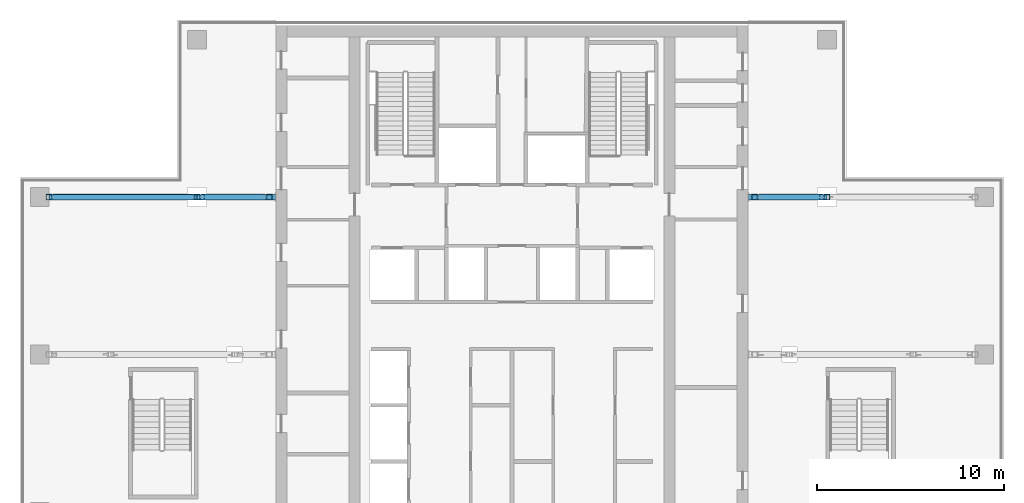
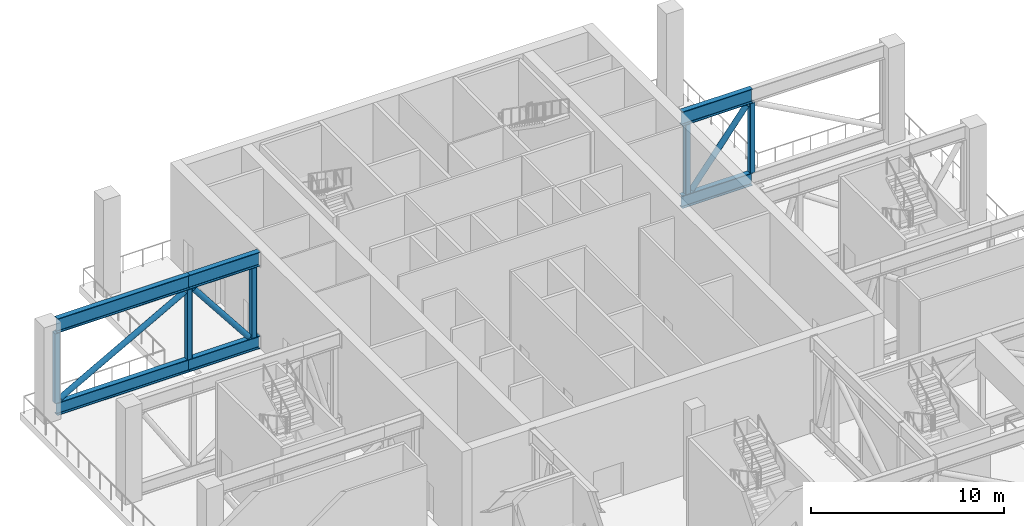
# One storey, part 4 of 24: 14 members.
"""IFC4 building model written with IfcOpenShell, lengths in metres."""

from ifc_helpers import new_model, si_unit, direction, frame, origin, origin_2d, place, context, subcontext, project, spatial, hollow_rectangle, hollow_circle, i_section, extrude, material, material_profile, profile_set, type_object, element, save


model = new_model("IFC4")

# Units and contexts
model_context = context("Model", 3, precision=1e-05, world=origin(), true_north=direction((0.0, 1.0)))
body_context = subcontext(model_context, "Body", "Model", "MODEL_VIEW")
ifc_project = project(units=[si_unit("LENGTHUNIT", "METRE"), si_unit("AREAUNIT", "SQUARE_METRE"), si_unit("VOLUMEUNIT", "CUBIC_METRE"), si_unit("PLANEANGLEUNIT", "RADIAN"), si_unit("MASSUNIT", "GRAM", prefix="KILO")], contexts=[model_context])

# Site, building, storey
site_placement = place(None, origin())
site = spatial("IfcSite", under=ifc_project, at=site_placement, CompositionType="ELEMENT")
building_placement = place(site_placement, origin())
building = spatial("IfcBuilding", under=site, at=building_placement, Name="Vermilion Ogive Tower", CompositionType="ELEMENT")
storey_placement = place(building_placement, frame((0.0, 0.0, 216.949951171875)))
storey = spatial("IfcBuildingStorey", under=building, at=storey_placement, Name="L57", CompositionType="ELEMENT", Elevation=216.949951171875)

# Members
ifc_material_1 = material(Name="Steel S355", Category="steel")
ifc_material_profile_1 = material_profile(ifc_material_1, i_section(OverallWidth=0.300048828125, OverallDepth=0.800048828125, WebThickness=0.017578125, FlangeThickness=0.032958984375, FilletRadius=0.030029296875, at=origin_2d()), Name="HEB 800")
ifc_profile_set_1 = profile_set([ifc_material_profile_1], Name="Steel S355")
member_type_1 = type_object("IfcMemberType", Name="Outrigger truss bottom chord HEB 800", PredefinedType="CHORD", material=ifc_profile_set_1)
for number, where, z_axis, x_axis, name in (
    (1, (12.60009765625, 12.60009765625, 0.400146484375), (1.0, 0.0, 0.0), (0.0, 1.0, 0.0), "L57-TR-EWE+12.6-B1"),
    (2, (-12.60009765625, 12.60009765625, 0.400146484375), (-1.0, 0.0, 0.0), (0.0, -1.0, 0.0), "L57-TR-EWW+12.6-B1"),
):
    element("IfcMember", number, at=place(storey_placement, frame(where, z_axis=z_axis, x_axis=x_axis)), inside=storey, type_object=member_type_1, Name=name, PredefinedType="CHORD", context=body_context, shape_type="SweptSolid", body=[
        extrude(i_section(OverallWidth=0.300048828125, OverallDepth=0.800048828125, WebThickness=0.017578125, FlangeThickness=0.032958984375, FilletRadius=0.030029296875, at=origin_2d()), origin(), (0.0, 0.0, 1.0), 4.199951171875),
    ])
member_1_placement = place(storey_placement, frame((-16.800048828125, 12.60009765625, 0.400146484375), z_axis=(-1.0, 0.0, 0.0), x_axis=(0.0, -1.0, 0.0)))
element("IfcMember", 3, at=member_1_placement, inside=storey, type_object=member_type_1, Name="L57-TR-EWW+12.6-B2", PredefinedType="CHORD", context=body_context, shape_type="SweptSolid", body=[
    extrude(i_section(OverallWidth=0.300048828125, OverallDepth=0.800048828125, WebThickness=0.017578125, FlangeThickness=0.032958984375, FilletRadius=0.030029296875, at=origin_2d()), origin(), (0.0, 0.0, 1.0), 7.89990234375),
])
ifc_material_2 = material(Name="Steel S355", Category="steel")
ifc_material_profile_2 = material_profile(ifc_material_2, hollow_circle(Radius=0.161865234375, WallThickness=0.012451171875, at=origin_2d()), Name="CHS 323.9x12.5")
ifc_profile_set_2 = profile_set([ifc_material_profile_2], Name="Steel S355")
member_type_2 = type_object("IfcMemberType", Name="Outrigger truss diagonal CHS 323.9x12.5", PredefinedType="BRACE", material=ifc_profile_set_2)
for number, where, z_axis, x_axis, name in (
    (4, (13.2255859375, 12.60009765625, 0.901123046875), (0.6178902152, 0.0, 0.786264384262), (0.0, 1.0, 0.0), "L57-TR-EWE+12.6-D0"),
    (5, (-13.2255859375, 12.60009765625, 0.901123046875), (-0.6178902152, 0.0, 0.786264384262), (0.0, -1.0, 0.0), "L57-TR-EWW+12.6-D0"),
):
    element("IfcMember", number, at=place(storey_placement, frame(where, z_axis=z_axis, x_axis=x_axis)), inside=storey, type_object=member_type_2, Name=name, PredefinedType="BRACE", context=body_context, shape_type="SweptSolid", body=[
        extrude(hollow_circle(Radius=0.161865234375, WallThickness=0.012451171875, at=origin_2d()), origin(), (0.0, 0.0, 1.0), 5.3388671875),
    ])
member_2_placement = place(storey_placement, frame((-17.03076171875, 12.60009765625, 5.060302734375), z_axis=(-0.874749792667, 0.0, -0.484574865453), x_axis=(0.0, -1.0, 0.0)))
element("IfcMember", 6, at=member_2_placement, inside=storey, type_object=member_type_2, Name="L57-TR-EWW+12.6-D1", PredefinedType="BRACE", context=body_context, shape_type="SweptSolid", body=[
    extrude(hollow_circle(Radius=0.161865234375, WallThickness=0.012451171875, at=origin_2d()), origin(), (0.0, 0.0, 1.0), 8.503662109375),
])
ifc_material_3 = material(Name="Steel S355", Category="steel")
ifc_material_profile_3 = material_profile(ifc_material_3, hollow_rectangle(XDim=0.300048828125, YDim=0.300048828125, WallThickness=0.012451171875, InnerFilletRadius=0.012451171875, OuterFilletRadius=0.018798828125, at=origin_2d()), Name="RHS 300x300x12.5")
ifc_profile_set_3 = profile_set([ifc_material_profile_3], Name="Steel S355")
member_type_3 = type_object("IfcMemberType", Name="Outrigger truss post RHS 300x300x12.5", PredefinedType="POST", material=ifc_profile_set_3)
for number, where, z_axis, x_axis, name in (
    (7, (12.949951171875, 12.60009765625, 0.800048828125), (0.0, 0.0, 1.0), (1.0, 0.0, 0.0), "L57-TR-EWE+12.6-P0"),
    (8, (16.800048828125, 12.60009765625, 0.800048828125), (0.0, 0.0, 1.0), (1.0, 0.0, 0.0), "L57-TR-EWE+12.6-P1"),
    (9, (-12.949951171875, 12.60009765625, 0.800048828125), (0.0, 0.0, 1.0), (1.0, 0.0, 0.0), "L57-TR-EWW+12.6-P0"),
    (10, (-16.800048828125, 12.60009765625, 0.800048828125), (0.0, 0.0, 1.0), (1.0, 0.0, 0.0), "L57-TR-EWW+12.6-P1"),
    (11, (-24.699951171875, 12.60009765625, 0.800048828125), (0.0, 0.0, 1.0), (1.0, 0.0, 0.0), "L57-TR-EWW+12.6-P2"),
):
    element("IfcMember", number, at=place(storey_placement, frame(where, z_axis=z_axis, x_axis=x_axis)), inside=storey, type_object=member_type_3, Name=name, PredefinedType="POST", context=body_context, shape_type="SweptSolid", body=[
        extrude(hollow_rectangle(XDim=0.300048828125, YDim=0.300048828125, WallThickness=0.012451171875, InnerFilletRadius=0.012451171875, OuterFilletRadius=0.018798828125, at=origin_2d()), origin(), (0.0, 0.0, 1.0), 4.39990234375),
    ])
ifc_material_4 = material(Name="Steel S355", Category="steel")
ifc_material_profile_4 = material_profile(ifc_material_4, i_section(OverallWidth=0.300048828125, OverallDepth=0.89990234375, WebThickness=0.0185546875, FlangeThickness=0.034912109375, FilletRadius=0.030029296875, at=origin_2d()), Name="HEB 900")
ifc_profile_set_4 = profile_set([ifc_material_profile_4], Name="Steel S355")
member_type_4 = type_object("IfcMemberType", Name="Outrigger truss top chord HEB 900", PredefinedType="CHORD", material=ifc_profile_set_4)
for number, where, z_axis, x_axis, name in (
    (12, (12.60009765625, 12.60009765625, 5.650146484375), (1.0, 0.0, 0.0), (0.0, 1.0, 0.0), "L57-TR-EWE+12.6-T3"),
    (13, (-12.60009765625, 12.60009765625, 5.650146484375), (-1.0, 0.0, 0.0), (0.0, -1.0, 0.0), "L57-TR-EWW+12.6-T3"),
):
    element("IfcMember", number, at=place(storey_placement, frame(where, z_axis=z_axis, x_axis=x_axis)), inside=storey, type_object=member_type_4, Name=name, PredefinedType="CHORD", context=body_context, shape_type="SweptSolid", body=[
        extrude(i_section(OverallWidth=0.300048828125, OverallDepth=0.89990234375, WebThickness=0.0185546875, FlangeThickness=0.034912109375, FilletRadius=0.030029296875, at=origin_2d()), origin(), (0.0, 0.0, 1.0), 4.199951171875),
    ])
member_3_placement = place(storey_placement, frame((-16.800048828125, 12.60009765625, 5.650146484375), z_axis=(-1.0, 0.0, 0.0), x_axis=(0.0, -1.0, 0.0)))
element("IfcMember", 14, at=member_3_placement, inside=storey, type_object=member_type_4, Name="L57-TR-EWW+12.6-T4", PredefinedType="CHORD", context=body_context, shape_type="SweptSolid", body=[
    extrude(i_section(OverallWidth=0.300048828125, OverallDepth=0.89990234375, WebThickness=0.0185546875, FlangeThickness=0.034912109375, FilletRadius=0.030029296875, at=origin_2d()), origin(), (0.0, 0.0, 1.0), 7.89990234375),
])

save(model, "model.ifc")
